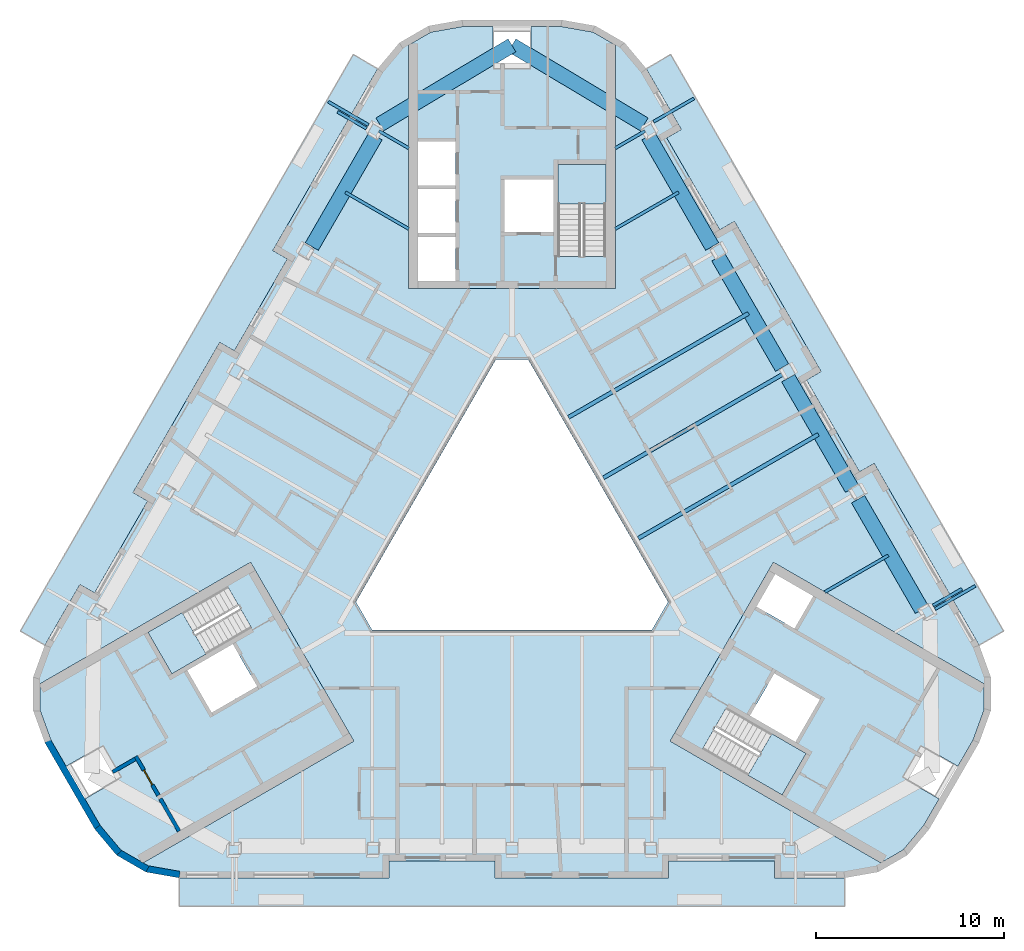
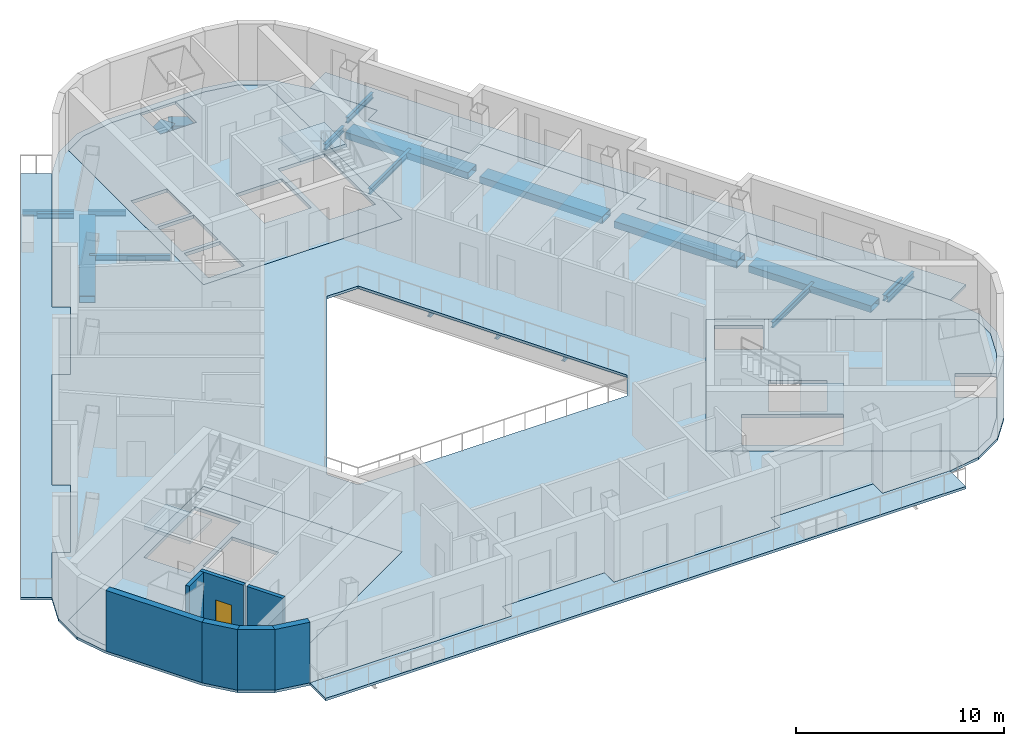
# One storey, part 2 of 13: 20 beams, 10 slabs, 7 walls, 1 door, 1 opening, 3 elements without a shape of their own.
"""IFC4 building model written with IfcOpenShell, lengths in metres."""

from ifc_helpers import new_model, si_unit, direction, frame, frame_2d, origin, origin_2d, place, context, subcontext, project, spatial, polyline, rectangle, hollow_rectangle, i_section, outline, extrude, material, layer, layer_set, material_profile, profile_set, type_object, element, fill, aggregate, save


model = new_model("IFC4")

# Units and contexts
model_context = context("Model", 3, precision=1e-05, world=origin(), true_north=direction((0.0, 1.0)))
body_context = subcontext(model_context, "Body", "Model", "MODEL_VIEW")
ifc_project = project(units=[si_unit("LENGTHUNIT", "METRE"), si_unit("AREAUNIT", "SQUARE_METRE"), si_unit("VOLUMEUNIT", "CUBIC_METRE"), si_unit("PLANEANGLEUNIT", "RADIAN"), si_unit("MASSUNIT", "GRAM", prefix="KILO")], contexts=[model_context])

# Site, building, storey
site_placement = place(None, origin())
site = spatial("IfcSite", under=ifc_project, at=site_placement, CompositionType="ELEMENT")
building_placement = place(site_placement, origin())
building = spatial("IfcBuilding", under=site, at=building_placement, Name="Apuvela Tower Hotel", CompositionType="ELEMENT")
storey_placement = place(building_placement, frame((0.0, 0.0, 276.300048828125)))
storey = spatial("IfcBuildingStorey", under=building, at=storey_placement, Name="L68", CompositionType="ELEMENT", Elevation=276.300048828125)

# Beams
ifc_material_1 = material(Name="Steel S355", Category="steel")
ifc_material_profile_1 = material_profile(ifc_material_1, i_section(OverallWidth=0.159912109375, OverallDepth=0.330078125, WebThickness=0.007568359375, FlangeThickness=0.011474609375, at=origin_2d()), Name="IPE 330")
ifc_profile_set_1 = profile_set([ifc_material_profile_1], Name="Steel S355")
beam_type_1 = type_object("IfcBeamType", Name="ENV-BALCONY-BEAM-IPE330", PredefinedType="BEAM", material=ifc_profile_set_1)
beam_1_placement = place(storey_placement, frame((22.530517578125, -4.18212890625, -0.31494140625), z_axis=(0.866006523861, 0.500032699561, 0.0), x_axis=(-0.500032699561, 0.866006523861, 0.0)))
element("IfcBeam", 1, at=beam_1_placement, inside=storey, type_object=beam_type_1, Name="Balcony cantilever beam NE1 L68", PredefinedType="BEAM", context=body_context, shape_type="SweptSolid", body=[
    extrude(i_section(OverallWidth=0.159912109375, OverallDepth=0.330078125, WebThickness=0.007568359375, FlangeThickness=0.011474609375, at=origin_2d()), origin(), (0.0, 0.0, 1.0), 2.474853515625),
])
beam_2_placement = place(storey_placement, frame((22.42041015625, -3.99169921875, -0.31494140625), z_axis=(0.866025242659, 0.500000279077, 0.0), x_axis=(-0.500000279077, 0.866025242659, 0.0)))
element("IfcBeam", 2, at=beam_2_placement, inside=storey, type_object=beam_type_1, Name="Balcony cantilever beam NE2 L68", PredefinedType="BEAM", context=body_context, shape_type="SweptSolid", body=[
    extrude(i_section(OverallWidth=0.159912109375, OverallDepth=0.330078125, WebThickness=0.007568359375, FlangeThickness=0.011474609375, at=origin_2d()), origin(), (0.0, 0.0, 1.0), 1.77490234375),
])
beam_3_placement = place(storey_placement, frame((7.543212890625, 21.776123046875, -0.31494140625), z_axis=(0.866031185235, 0.4999899861, 0.0), x_axis=(-0.4999899861, 0.866031185235, 0.0)))
element("IfcBeam", 3, at=beam_3_placement, inside=storey, type_object=beam_type_1, Name="Balcony cantilever beam NE3 L68", PredefinedType="BEAM", context=body_context, shape_type="SweptSolid", body=[
    extrude(i_section(OverallWidth=0.159912109375, OverallDepth=0.330078125, WebThickness=0.007568359375, FlangeThickness=0.011474609375, at=origin_2d()), origin(), (0.0, 0.0, 1.0), 2.47509765625),
])
beam_4_placement = place(storey_placement, frame((-7.643310546875, 21.60302734375, -0.31494140625), z_axis=(-0.866006523861, 0.500032699561, 0.0), x_axis=(-0.500032699561, -0.866006523861, 0.0)))
element("IfcBeam", 4, at=beam_4_placement, inside=storey, type_object=beam_type_1, Name="Balcony cantilever beam NW1 L68", PredefinedType="BEAM", context=body_context, shape_type="SweptSolid", body=[
    extrude(i_section(OverallWidth=0.159912109375, OverallDepth=0.330078125, WebThickness=0.007568359375, FlangeThickness=0.011474609375, at=origin_2d()), origin(), (0.0, 0.0, 1.0), 2.474853515625),
])
beam_5_placement = place(storey_placement, frame((-7.75341796875, 21.41259765625, -0.31494140625), z_axis=(-0.866025242659, 0.500000279077, 0.0), x_axis=(-0.500000279077, -0.866025242659, 0.0)))
element("IfcBeam", 5, at=beam_5_placement, inside=storey, type_object=beam_type_1, Name="Balcony cantilever beam NW2 L68", PredefinedType="BEAM", context=body_context, shape_type="SweptSolid", body=[
    extrude(i_section(OverallWidth=0.159912109375, OverallDepth=0.330078125, WebThickness=0.007568359375, FlangeThickness=0.011474609375, at=origin_2d()), origin(), (0.0, 0.0, 1.0), 1.77490234375),
])
ifc_material_profile_2 = material_profile(ifc_material_1, i_section(OverallWidth=0.159912109375, OverallDepth=0.330078125, WebThickness=0.007568359375, FlangeThickness=0.011474609375, at=origin_2d()), Name="IPE 330")
ifc_profile_set_2 = profile_set([ifc_material_profile_2], Name="Steel S355")
beam_type_2 = type_object("IfcBeamType", Name="STR-B floor beam IPE 330", PredefinedType="BEAM", material=ifc_profile_set_2)
beam_6_placement = place(storey_placement, frame((20.041748046875, -1.321533203125, -0.31494140625), z_axis=(-0.866018739521, -0.500011542666, 0.0), x_axis=(0.500011542666, -0.866018739521, 0.0)))
element("IfcBeam", 6, at=beam_6_placement, inside=storey, type_object=beam_type_2, Name="Floor beam B1 NE2", PredefinedType="BEAM", context=body_context, shape_type="SweptSolid", body=[
    extrude(i_section(OverallWidth=0.159912109375, OverallDepth=0.330078125, WebThickness=0.007568359375, FlangeThickness=0.011474609375, at=origin_2d()), origin(), (0.0, 0.0, 1.0), 3.89892578125),
])
beam_7_placement = place(storey_placement, frame((8.876220703125, 18.017333984375, -0.31494140625), z_axis=(-0.866030200013, -0.499991692596, 0.0), x_axis=(0.499991692596, -0.866030200013, 0.0)))
element("IfcBeam", 7, at=beam_7_placement, inside=storey, type_object=beam_type_2, Name="Floor beam B1 NE8", PredefinedType="BEAM", context=body_context, shape_type="SweptSolid", body=[
    extrude(i_section(OverallWidth=0.159912109375, OverallDepth=0.330078125, WebThickness=0.007568359375, FlangeThickness=0.011474609375, at=origin_2d()), origin(), (0.0, 0.0, 1.0), 3.8984375),
])
for number, where, z_axis, x_axis, name in (
    (8, (7.080322265625, 21.278076171875, -0.31494140625), (-0.865978377894, -0.500081442387, 0.0), (0.500081442387, -0.865978377894, 0.0), "Floor beam B1 NE9"),
    (9, (-7.080322265625, 21.278076171875, -0.31494140625), (0.865978377894, -0.500081442387, 0.0), (0.500081442387, 0.865978377894, 0.0), "Floor beam B1 NW1"),
):
    element("IfcBeam", number, at=place(storey_placement, frame(where, z_axis=z_axis, x_axis=x_axis)), inside=storey, type_object=beam_type_2, Name=name, PredefinedType="BEAM", context=body_context, shape_type="SweptSolid", body=[
        extrude(i_section(OverallWidth=0.159912109375, OverallDepth=0.330078125, WebThickness=0.007568359375, FlangeThickness=0.011474609375, at=origin_2d()), origin(), (0.0, 0.0, 1.0), 1.824951171875),
    ])
beam_8_placement = place(storey_placement, frame((-8.876220703125, 18.017333984375, -0.31494140625), z_axis=(0.866030200013, -0.499991692596, 0.0), x_axis=(0.499991692596, 0.866030200013, 0.0)))
element("IfcBeam", 10, at=beam_8_placement, inside=storey, type_object=beam_type_2, Name="Floor beam B1 NW2", PredefinedType="BEAM", context=body_context, shape_type="SweptSolid", body=[
    extrude(i_section(OverallWidth=0.159912109375, OverallDepth=0.330078125, WebThickness=0.007568359375, FlangeThickness=0.011474609375, at=origin_2d()), origin(), (0.0, 0.0, 1.0), 3.8984375),
])
ifc_material_profile_3 = material_profile(ifc_material_1, i_section(OverallWidth=0.2099609375, OverallDepth=0.550048828125, WebThickness=0.010986328125, FlangeThickness=0.01708984375, at=origin_2d()), Name="IPE 550")
ifc_profile_set_3 = profile_set([ifc_material_profile_3], Name="Steel S355")
beam_type_3 = type_object("IfcBeamType", Name="STR-B floor beam IPE 550", PredefinedType="BEAM", material=ifc_profile_set_3)
beam_9_placement = place(storey_placement, frame((16.31982421875, 5.124755859375, -0.425048828125), z_axis=(-0.866024806044, -0.500001035316, 0.0), x_axis=(0.500001035316, -0.866024806044, 0.0)))
element("IfcBeam", 11, at=beam_9_placement, inside=storey, type_object=beam_type_3, Name="Floor beam B7 NE4", PredefinedType="BEAM", context=body_context, shape_type="SweptSolid", body=[
    extrude(i_section(OverallWidth=0.2099609375, OverallDepth=0.550048828125, WebThickness=0.010986328125, FlangeThickness=0.01708984375, at=origin_2d()), origin(), (0.0, 0.0, 1.0), 11.07568359375),
])
beam_10_placement = place(storey_placement, frame((14.52392578125, 8.385498046875, -0.425048828125), z_axis=(-0.866020782377, -0.500008004428, 0.0), x_axis=(0.500008004428, -0.866020782377, 0.0)))
element("IfcBeam", 12, at=beam_10_placement, inside=storey, type_object=beam_type_3, Name="Floor beam B7 NE5", PredefinedType="BEAM", context=body_context, shape_type="SweptSolid", body=[
    extrude(i_section(OverallWidth=0.2099609375, OverallDepth=0.550048828125, WebThickness=0.010986328125, FlangeThickness=0.01708984375, at=origin_2d()), origin(), (0.0, 0.0, 1.0), 11.150634765625),
])
beam_11_placement = place(storey_placement, frame((12.59814453125, 11.571044921875, -0.425048828125), z_axis=(-0.866030316655, -0.499991490562, 0.0), x_axis=(0.499991490562, -0.866030316655, 0.0)))
element("IfcBeam", 13, at=beam_11_placement, inside=storey, type_object=beam_type_3, Name="Floor beam B7 NE6", PredefinedType="BEAM", context=body_context, shape_type="SweptSolid", body=[
    extrude(i_section(OverallWidth=0.2099609375, OverallDepth=0.550048828125, WebThickness=0.010986328125, FlangeThickness=0.01708984375, at=origin_2d()), origin(), (0.0, 0.0, 1.0), 11.075927734375),
])
ifc_material_2 = material(Name="Steel S460", Category="steel")
ifc_material_profile_4 = material_profile(ifc_material_2, hollow_rectangle(XDim=0.800048828125, YDim=0.39990234375, WallThickness=0.02490234375, at=origin_2d()), Name="BOX 800x400x25")
ifc_profile_set_4 = profile_set([ifc_material_profile_4], Name="Steel S460")
beam_type_4 = type_object("IfcBeamType", Name="STR-RB perimeter ring beam BOX 800x400x25", PredefinedType="SPANDREL", material=ifc_profile_set_4)
for number, where, z_axis, x_axis, name in (
    (14, (21.82666015625, -4.213134765625, -0.400146484375), (-0.500000356135, 0.86602519817, 0.0), (-0.86602519817, -0.500000356135, 0.0), "Ring beam RB1 NE1"),
    (15, (18.10498046875, 2.233154296875, -0.400146484375), (-0.500027308624, 0.866009636569, 0.0), (-0.866009636569, -0.500027308624, 0.0), "Ring beam RB1 NE2"),
    (16, (14.383056640625, 8.679443359375, -0.400146484375), (-0.500000356135, 0.86602519817, 0.0), (-0.86602519817, -0.500000356135, 0.0), "Ring beam RB1 NE3"),
    (17, (10.661376953125, 15.125732421875, -0.400146484375), (-0.500000356135, 0.86602519817, 0.0), (-0.86602519817, -0.500000356135, 0.0), "Ring beam RB1 NE4"),
    (18, (-7.2646484375, 21.009033203125, -0.400146484375), (-0.500000356135, -0.86602519817, 0.0), (0.86602519817, -0.500000356135, 0.0), "Ring beam RB1 NW1"),
):
    element("IfcBeam", number, at=place(storey_placement, frame(where, z_axis=z_axis, x_axis=x_axis)), inside=storey, type_object=beam_type_4, Name=name, PredefinedType="SPANDREL", context=body_context, shape_type="SweptSolid", body=[
        extrude(hollow_rectangle(XDim=0.800048828125, YDim=0.39990234375, WallThickness=0.02490234375, at=origin_2d()), origin(), (0.0, 0.0, 1.0), 6.79345703125),
    ])
for number, where, z_axis, x_axis, name in (
    (19, (7.04248046875, 21.631591796875, -0.400146484375), (-0.858274280766, 0.513191249901, 0.0), (-0.513191249901, -0.858274280766, 0.0), "Ring beam RB1 NE5-N"),
    (20, (-7.04248046875, 21.631591796875, -0.400146484375), (0.858274280766, 0.513191249901, 0.0), (-0.513191249901, 0.858274280766, 0.0), "Ring beam RB1 NW1-N"),
):
    element("IfcBeam", number, at=place(storey_placement, frame(where, z_axis=z_axis, x_axis=x_axis)), inside=storey, type_object=beam_type_4, Name=name, PredefinedType="SPANDREL", context=body_context, shape_type="SweptSolid", body=[
        extrude(hollow_rectangle(XDim=0.800048828125, YDim=0.39990234375, WallThickness=0.02490234375, at=origin_2d()), origin(), (0.0, 0.0, 1.0), 8.205322265625),
    ])

# Slabs
ifc_material_3 = material(Name="Concrete C50/60", Category="concrete")
ifc_layer_1 = layer(ifc_material_3, 0.199951171875)
ifc_layer_set_1 = layer_set([ifc_layer_1], Name="COR-FLOOR-200")
slab_type_1 = type_object("IfcSlabType", Name="COR-FLOOR-200", PredefinedType="FLOOR", material=ifc_layer_set_1)
slab_1_placement = place(storey_placement, frame((0.0, 0.0, -0.199951171875)))
element("IfcSlab", 21, at=slab_1_placement, inside=storey, type_object=slab_type_1, Name="Core floor N", PredefinedType="FLOOR", context=body_context, shape_type="SweptSolid", body=[
    extrude(outline(polyline([(5.5, 25.86279296875), (4.31640625, 26.5458984375), (2.635009765625, 26.842529296875), (1.0, 26.842529296875), (1.0, 24.842529296875), (-1.0, 24.842529296875), (-1.0, 26.842529296875), (-2.635009765625, 26.842529296875), (-4.31640625, 26.5458984375), (-5.5, 25.86279296875), (-5.5, 12.89990234375), (5.5, 12.89990234375), (5.5, 25.86279296875)]), holes=[polyline([(-3.0, 13.300048828125), (-5.0, 13.300048828125), (-5.0, 15.639892578125), (-3.0, 15.639892578125), (-3.0, 13.300048828125)]), polyline([(-3.0, 15.840087890625), (-5.0, 15.840087890625), (-5.0, 18.179931640625), (-3.0, 18.179931640625), (-3.0, 15.840087890625)]), polyline([(5.0, 14.60595703125), (2.449951171875, 14.60595703125), (2.449951171875, 19.5), (5.0, 19.5), (5.0, 14.60595703125)]), polyline([(2.199951171875, 18.699951171875), (2.199951171875, 15.89990234375), (-0.39990234375, 15.89990234375), (-0.39990234375, 18.699951171875), (2.199951171875, 18.699951171875)]), polyline([(-3.0, 20.719970703125), (-3.0, 18.3798828125), (-5.0, 18.3798828125), (-5.0, 20.719970703125), (-3.0, 20.719970703125)])]), origin(), (0.0, 0.0, 1.0), 0.199951171875),
])
slab_2_placement = place(storey_placement, frame((0.0, 0.0, -0.199951171875)))
element("IfcSlab", 22, at=slab_2_placement, inside=storey, type_object=slab_type_1, Name="Core floor SW", PredefinedType="FLOOR", context=body_context, shape_type="SweptSolid", body=[
    extrude(outline(polyline([(-25.147705078125, -8.168212890625), (-25.147705078125, -9.534912109375), (-24.563720703125, -11.139404296875), (-23.746337890625, -12.55517578125), (-22.014404296875, -11.55517578125), (-21.014404296875, -13.287353515625), (-22.746337890625, -14.287353515625), (-21.9287109375, -15.703125), (-20.831298828125, -17.01123046875), (-19.647705078125, -17.694580078125), (-8.421630859375, -11.213134765625), (-13.921630859375, -1.68701171875), (-25.147705078125, -8.168212890625)]), holes=[polyline([(-13.874267578125, -5.18115234375), (-18.112548828125, -7.628173828125), (-19.387451171875, -5.419921875), (-15.149169921875, -2.972900390625), (-13.874267578125, -5.18115234375)]), polyline([(-13.56982421875, -8.29638671875), (-15.99462890625, -9.6962890625), (-17.294677734375, -7.444580078125), (-14.869873046875, -6.044677734375), (-13.56982421875, -8.29638671875)])]), origin(), (0.0, 0.0, 1.0), 0.199951171875),
])
slab_3_placement = place(storey_placement, frame((0.0, 0.0, -0.199951171875)))
element("IfcSlab", 23, at=slab_3_placement, inside=storey, type_object=slab_type_1, Name="Core floor SE", PredefinedType="FLOOR", context=body_context, shape_type="SweptSolid", body=[
    extrude(outline(polyline([(19.647705078125, -17.694580078125), (20.831298828125, -17.01123046875), (21.9287109375, -15.703125), (22.746337890625, -14.287353515625), (21.014404296875, -13.287353515625), (22.014404296875, -11.55517578125), (23.746337890625, -12.55517578125), (24.563720703125, -11.139404296875), (25.147705078125, -9.534912109375), (25.147705078125, -8.168212890625), (13.921630859375, -1.68701171875), (8.421630859375, -11.213134765625), (19.647705078125, -17.694580078125)]), holes=[polyline([(14.01806640625, -2.31982421875), (16.044677734375, -3.489990234375), (15.044677734375, -5.221923828125), (13.01806640625, -4.052001953125), (14.01806640625, -2.31982421875)]), polyline([(10.149169921875, -11.633056640625), (11.42431640625, -9.4248046875), (15.66259765625, -11.871826171875), (14.387451171875, -14.080078125), (10.149169921875, -11.633056640625)]), polyline([(12.669921875, -9.855224609375), (13.9697265625, -7.603515625), (16.394775390625, -9.003662109375), (15.0947265625, -11.25537109375), (12.669921875, -9.855224609375)])]), origin(), (0.0, 0.0, 1.0), 0.199951171875),
])

# Stair, slab
stair_type = type_object("IfcStairType", Name="COR-STAIR-22R", PredefinedType="HALF_TURN_STAIR", material=ifc_material_3)
stair_1_placement = place(storey_placement, origin())
stair_1 = element("IfcStair", 24, at=stair_1_placement, inside=storey, type_object=stair_type, Name="L68 Exit stair ST1", PredefinedType="HALF_TURN_STAIR")
ifc_layer_2 = layer(ifc_material_3, 0.199951171875)
ifc_layer_set_2 = layer_set([ifc_layer_2], Name="COR-LANDING-200")
slab_type_2 = type_object("IfcSlabType", Name="COR-LANDING-200", PredefinedType="LANDING", material=ifc_layer_set_2)
slab_4_placement = place(storey_placement, frame((0.0, 0.0, 1.64990234375)))
slab_4 = element("IfcSlab", 25, at=slab_4_placement, type_object=slab_type_2, Name="ST1 landing 1", PredefinedType="LANDING", context=body_context, shape_type="SweptSolid", body=[
    extrude(outline(polyline([(5.0, 17.39404296875), (5.0, 19.5), (2.449951171875, 19.5), (2.449951171875, 17.39404296875), (5.0, 17.39404296875)])), origin(), (0.0, 0.0, 1.0), 0.199951171875),
])
aggregate(stair_1, [slab_4])

stair_2_placement = place(storey_placement, origin())
stair_2 = element("IfcStair", 26, at=stair_2_placement, inside=storey, type_object=stair_type, Name="L68 Exit stair ST2", PredefinedType="HALF_TURN_STAIR")
slab_5_placement = place(storey_placement, frame((0.0, 0.0, 1.64990234375)))
slab_5 = element("IfcSlab", 27, at=slab_5_placement, type_object=slab_type_2, Name="ST2 landing 1", PredefinedType="LANDING", context=body_context, shape_type="SweptSolid", body=[
    extrude(outline(polyline([(-17.563720703125, -4.366943359375), (-19.387451171875, -5.419921875), (-18.112548828125, -7.628173828125), (-16.28857421875, -6.5751953125), (-17.563720703125, -4.366943359375)])), origin(), (0.0, 0.0, 1.0), 0.199951171875),
])
aggregate(stair_2, [slab_5])

stair_3_placement = place(storey_placement, origin())
stair_3 = element("IfcStair", 28, at=stair_3_placement, inside=storey, type_object=stair_type, Name="L68 Exit stair ST3", PredefinedType="HALF_TURN_STAIR")
slab_6_placement = place(storey_placement, frame((0.0, 0.0, 1.64990234375)))
slab_6 = element("IfcSlab", 29, at=slab_6_placement, type_object=slab_type_2, Name="ST3 landing 1", PredefinedType="LANDING", context=body_context, shape_type="SweptSolid", body=[
    extrude(outline(polyline([(12.563720703125, -13.027099609375), (14.387451171875, -14.080078125), (15.66259765625, -11.871826171875), (13.838623046875, -10.81884765625), (12.563720703125, -13.027099609375)])), origin(), (0.0, 0.0, 1.0), 0.199951171875),
])
aggregate(stair_3, [slab_6])

# Slabs
ifc_material_4 = material(Name="Concrete C40/50, fair-faced", Category="concrete")
ifc_layer_3 = layer(ifc_material_4, 0.14990234375)
ifc_layer_set_3 = layer_set([ifc_layer_3], Name="ENV-BALCONY-150")
slab_type_3 = type_object("IfcSlabType", Name="ENV-BALCONY-150", PredefinedType="FLOOR", material=ifc_layer_set_3)
slab_7_placement = place(storey_placement, frame((0.0, 0.0, -0.150146484375)))
element("IfcSlab", 30, at=slab_7_placement, inside=storey, type_object=slab_type_3, Name="Balcony slab S L68", PredefinedType="FLOOR", context=body_context, shape_type="SweptSolid", body=[
    extrude(outline(polyline([(17.733642578125, -20.000732421875), (-17.733642578125, -20.000732421875), (-17.733642578125, -18.49072265625), (-6.548583984375, -18.49072265625), (-6.548583984375, -17.5908203125), (-0.89501953125, -17.5908203125), (-0.89501953125, -18.49072265625), (8.338623046875, -18.49072265625), (8.338623046875, -17.5908203125), (13.9921875, -17.5908203125), (13.9921875, -18.49072265625), (17.733642578125, -18.49072265625), (17.733642578125, -20.000732421875)])), origin(), (0.0, 0.0, 1.0), 0.150146484375),
])
slab_8_placement = place(storey_placement, frame((0.0, 0.0, -0.150146484375)))
element("IfcSlab", 31, at=slab_8_placement, inside=storey, type_object=slab_type_3, Name="Balcony slab NE L68", PredefinedType="FLOOR", context=body_context, shape_type="SweptSolid", body=[
    extrude(outline(polyline([(16.4609375, 8.47021484375), (11.84423828125, 16.466796875), (11.064697265625, 16.016845703125), (8.238037109375, 20.912841796875), (9.017578125, 21.36279296875), (7.146728515625, 24.603271484375), (8.454345703125, 25.358154296875), (26.18798828125, -5.357421875), (24.88037109375, -6.1123046875), (19.287841796875, 3.57421875), (18.50830078125, 3.124267578125), (15.681640625, 8.020263671875), (16.4609375, 8.47021484375)])), origin(), (0.0, 0.0, 1.0), 0.150146484375),
])
slab_9_placement = place(storey_placement, frame((0.0, 0.0, -0.150146484375)))
element("IfcSlab", 32, at=slab_9_placement, inside=storey, type_object=slab_type_3, Name="Balcony slab NW L68", PredefinedType="FLOOR", context=body_context, shape_type="SweptSolid", body=[
    extrude(outline(polyline([(-26.18798828125, -5.357421875), (-8.454345703125, 25.3583984375), (-7.146728515625, 24.603271484375), (-12.7392578125, 14.91650390625), (-11.959716796875, 14.466552734375), (-14.78662109375, 9.570556640625), (-15.56591796875, 10.0205078125), (-20.182861328125, 2.02392578125), (-19.4033203125, 1.573974609375), (-22.22998046875, -3.322021484375), (-23.009521484375, -2.8720703125), (-24.88037109375, -6.1123046875), (-26.18798828125, -5.357421875)])), origin(), (0.0, 0.0, 1.0), 0.150146484375),
])
ifc_material_5 = material(Name="Concrete C35/45", Category="concrete")
ifc_layer_4 = layer(ifc_material_5, 0.14990234375)
ifc_layer_set_4 = layer_set([ifc_layer_4], Name="STR-SLAB 150 floor Concrete C35/45")
slab_type_4 = type_object("IfcSlabType", Name="STR-SLAB 150 floor Concrete C35/45", PredefinedType="FLOOR", material=ifc_layer_set_4)
slab_10_placement = place(storey_placement, frame((0.0, 0.0, -0.150146484375)))
element("IfcSlab", 33, at=slab_10_placement, inside=storey, type_object=slab_type_4, Name="Floor slab S4 L68", PredefinedType="FLOOR", context=body_context, shape_type="SweptSolid", body=[
    extrude(outline(polyline([(-5.99658203125, 25.97998046875), (-4.43798828125, 26.8798828125), (-2.66552734375, 27.1923828125), (2.66552734375, 27.1923828125), (4.43798828125, 26.8798828125), (5.99658203125, 25.97998046875), (7.153564453125, 24.601318359375), (9.0244140625, 21.361083984375), (8.244873046875, 20.9111328125), (11.066650390625, 16.023681640625), (11.84619140625, 16.4736328125), (16.468017578125, 8.468505859375), (15.6884765625, 8.0185546875), (18.51025390625, 3.131103515625), (19.28955078125, 3.5810546875), (24.882080078125, -6.105712890625), (25.497802734375, -7.796875), (25.497802734375, -9.5966796875), (24.882080078125, -11.287841796875), (22.216552734375, -15.90478515625), (21.059814453125, -17.283447265625), (19.501220703125, -18.183349609375), (17.728759765625, -18.495849609375), (13.987060546875, -18.495849609375), (13.987060546875, -17.595703125), (8.343505859375, -17.595703125), (8.343505859375, -18.495849609375), (-0.89990234375, -18.495849609375), (-0.89990234375, -17.595703125), (-6.54345703125, -17.595703125), (-6.54345703125, -18.495849609375), (-17.728759765625, -18.495849609375), (-19.501220703125, -18.183349609375), (-21.059814453125, -17.283447265625), (-22.216552734375, -15.90478515625), (-24.882080078125, -11.287841796875), (-25.497802734375, -9.5966796875), (-25.497802734375, -7.796875), (-24.882080078125, -6.105712890625), (-23.011474609375, -2.865234375), (-22.23193359375, -3.315185546875), (-19.41015625, 1.572021484375), (-20.189697265625, 2.022216796875), (-15.56787109375, 10.02734375), (-14.788330078125, 9.577392578125), (-11.966796875, 14.46484375), (-12.74609375, 14.914794921875), (-7.153564453125, 24.601318359375), (-5.99658203125, 25.97998046875)]), holes=[polyline([(0.865966796875, 9.10009765625), (-0.865966796875, 9.10009765625), (-8.313720703125, -3.800048828125), (-7.44775390625, -5.300048828125), (7.44775390625, -5.300048828125), (8.313720703125, -3.800048828125), (0.865966796875, 9.10009765625)]), polyline([(-5.5, 12.89990234375), (-5.5, 25.86279296875), (-4.31640625, 26.5458984375), (-2.635009765625, 26.842529296875), (2.635009765625, 26.842529296875), (4.31640625, 26.5458984375), (5.5, 25.86279296875), (5.5, 12.89990234375), (-5.5, 12.89990234375)]), polyline([(-8.421630859375, -11.213134765625), (-19.647705078125, -17.694580078125), (-20.831298828125, -17.01123046875), (-21.9287109375, -15.703125), (-24.563720703125, -11.139404296875), (-25.147705078125, -9.534912109375), (-25.147705078125, -8.168212890625), (-13.921630859375, -1.68701171875), (-8.421630859375, -11.213134765625)]), polyline([(13.921630859375, -1.68701171875), (25.147705078125, -8.168212890625), (25.147705078125, -9.534912109375), (24.563720703125, -11.139404296875), (21.9287109375, -15.703125), (20.831298828125, -17.01123046875), (19.647705078125, -17.694580078125), (8.421630859375, -11.213134765625), (13.921630859375, -1.68701171875)])]), origin(), (0.0, 0.0, 1.0), 0.150146484375),
])

# Wall, opening, door
ifc_layer_5 = layer(ifc_material_3, 0.199951171875)
ifc_layer_set_5 = layer_set([ifc_layer_5], Name="COR-WALL-SHAFT-200")
wall_type_1 = type_object("IfcWallType", Name="COR-WALL-SHAFT-200", PredefinedType="SHEAR", material=ifc_layer_set_5)
wall_1_placement = place(storey_placement, frame((-20.030517578125, -12.0263671875, 0.0), z_axis=(0.0, 0.0, 1.0), x_axis=(0.500033551112, -0.866006032174, 0.0)))
wall_1 = element("IfcWall", 34, at=wall_1_placement, inside=storey, type_object=wall_type_1, Name="Shaft wall SW", PredefinedType="SHEAR", context=body_context, shape_type="SweptSolid", body=[
    extrude(rectangle(XDim=2.400146484375, YDim=0.199951171875, at=frame_2d((1.2001953125, 0.0))), origin(), (0.0, 0.0, 1.0), 3.5),
])
opening_placement = place(wall_1_placement, frame((0.85009765625, 0.0, 0.0)))
opening = element("IfcOpeningElement", 35, at=opening_placement, cuts=wall_1, Name="Opening W-REP", PredefinedType="OPENING", context=body_context, shape_type="SweptSolid", body=[
    extrude(rectangle(XDim=0.89990234375, YDim=2.10009765625, at=frame_2d((0.449951171875, 1.050048828125))), frame((0.0, 0.10986328125, 0.0), z_axis=(0.0, -1.0, 0.0), x_axis=(1.0, 0.0, 0.0)), (0.0, 0.0, 1.0), 0.219970703125),
])
ifc_material_6 = material(Name="Steel fire door, powder coated", Category="steel")
door_type = type_object("IfcDoorType", Name="COR-DR-900", OperationType="NOTDEFINED", PredefinedType="DOOR", material=ifc_material_6)
door_placement = place(opening_placement, frame((0.89990234375, 0.0, 0.0), z_axis=(0.0, 0.0, 1.0), x_axis=(-1.0, 0.0, 0.0)))
door = element("IfcDoor", 36, at=door_placement, inside=storey, type_object=door_type, Name="Store door W-REP", OperationType="SINGLE_SWING_LEFT", OverallHeight=2.10009765625, OverallWidth=0.89990234375, PredefinedType="DOOR", context=body_context, shape_type="SweptSolid", body=[
    extrude(rectangle(XDim=0.89990234375, YDim=2.10009765625, at=frame_2d((0.449951171875, 1.050048828125))), frame((0.0, 0.02490234375, 0.0), z_axis=(0.0, -1.0, 0.0), x_axis=(1.0, 0.0, 0.0)), (0.0, 0.0, 1.0), 0.050048828125),
])
fill(opening, door)

# Walls
wall_2_placement = place(storey_placement, frame((-18.73046875, -14.278076171875, 0.0), z_axis=(0.0, 0.0, 1.0), x_axis=(0.50002537861, -0.866010750942, 0.0)))
element("IfcWall", 37, at=wall_2_placement, inside=storey, type_object=wall_type_1, Name="Shaft wall SW", PredefinedType="SHEAR", context=body_context, shape_type="SweptSolid", body=[
    extrude(rectangle(XDim=2.0, YDim=0.199951171875, at=frame_2d((1.0, 0.0))), origin(), (0.0, 0.0, 1.0), 3.5),
])
wall_3_placement = place(storey_placement, frame((-20.06689453125, -12.1630859375, 0.0), z_axis=(0.0, 0.0, 1.0), x_axis=(-0.866094443108, -0.499880401313, 0.0)))
element("IfcWall", 38, at=wall_3_placement, inside=storey, type_object=wall_type_1, Name="Shaft wall SW", PredefinedType="SHEAR", context=body_context, shape_type="SweptSolid", body=[
    extrude(rectangle(XDim=1.382568359375, YDim=0.199951171875, at=frame_2d((0.69140625, 0.0))), origin(), (0.0, 0.0, 1.0), 3.5),
])
ifc_material_7 = material(Name="Concrete C40/50, dark pigmented precast panel", Category="concrete")
ifc_layer_6 = layer(ifc_material_7, 0.35009765625)
ifc_layer_set_6 = layer_set([ifc_layer_6], Name="ENV-WALL-350")
wall_type_2 = type_object("IfcWallType", Name="ENV-WALL-350", PredefinedType="SOLIDWALL", material=ifc_layer_set_6)
wall_4_placement = place(storey_placement, frame((-24.730712890625, -11.2001953125, 0.0), z_axis=(0.0, 0.0, 1.0), x_axis=(0.500025039717, -0.866010946615, 0.0)))
element("IfcWall", 39, at=wall_4_placement, inside=storey, type_object=wall_type_2, Name="External wall L68-13", PredefinedType="SOLIDWALL", context=body_context, shape_type="SweptSolid", body=[
    extrude(rectangle(XDim=5.331298828125, YDim=0.35009765625, at=frame_2d((2.66552734375, 0.0))), origin(), (0.0, 0.0, 1.0), 3.550048828125),
])
wall_5_placement = place(storey_placement, frame((-22.08251953125, -15.792236328125, 0.0), z_axis=(0.0, 0.0, 1.0), x_axis=(0.642756114672, -0.766070869471, 0.0)))
element("IfcWall", 40, at=wall_5_placement, inside=storey, type_object=wall_type_2, Name="External wall L68-14", PredefinedType="SOLIDWALL", context=body_context, shape_type="SweptSolid", body=[
    extrude(rectangle(XDim=1.799560546875, YDim=0.35009765625, at=frame_2d((0.89990234375, 0.0))), origin(), (0.0, 0.0, 1.0), 3.550048828125),
])
wall_6_placement = place(storey_placement, frame((-20.972412109375, -17.1318359375, 0.0), z_axis=(0.0, 0.0, 1.0), x_axis=(0.866047807691, -0.499961193289, 0.0)))
element("IfcWall", 41, at=wall_6_placement, inside=storey, type_object=wall_type_2, Name="External wall L68-15", PredefinedType="SOLIDWALL", context=body_context, shape_type="SweptSolid", body=[
    extrude(rectangle(XDim=1.800048828125, YDim=0.35009765625, at=frame_2d((0.89990234375, 0.0))), origin(), (0.0, 0.0, 1.0), 3.550048828125),
])
wall_7_placement = place(storey_placement, frame((-19.470703125, -18.010986328125, 0.0), z_axis=(0.0, 0.0, 1.0), x_axis=(0.984810858511, -0.173630564586, 0.0)))
element("IfcWall", 42, at=wall_7_placement, inside=storey, type_object=wall_type_2, Name="External wall L68-16", PredefinedType="SOLIDWALL", context=body_context, shape_type="SweptSolid", body=[
    extrude(rectangle(XDim=1.7998046875, YDim=0.35009765625, at=frame_2d((0.89990234375, 0.0))), origin(), (0.0, 0.0, 1.0), 3.550048828125),
])

save(model, "model.ifc")
